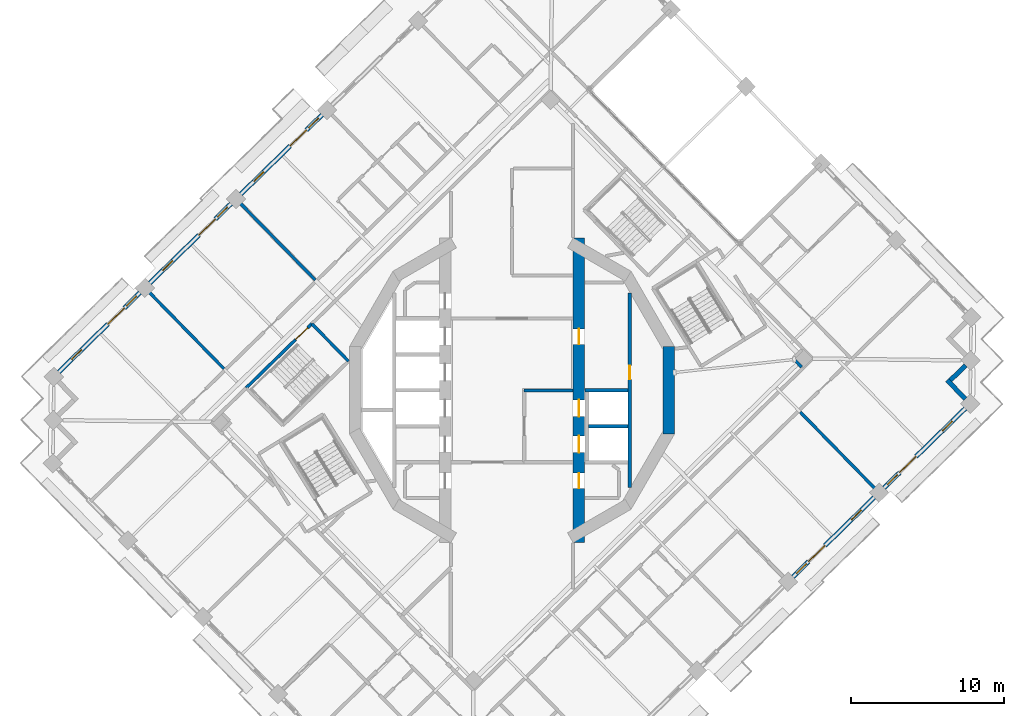
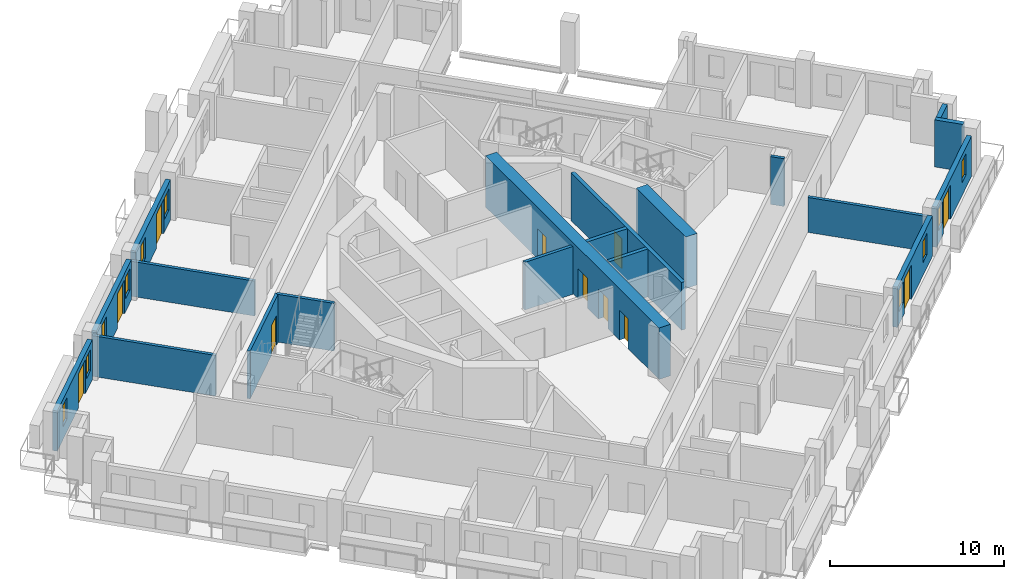
# One storey, part 10 of 20: 19 walls, 11 doors, 10 windows, 21 openings.
"""IFC4 building model written with IfcOpenShell, lengths in metres."""

from ifc_helpers import new_model, si_unit, direction, frame, frame_2d, origin, place, context, subcontext, project, spatial, rectangle, extrude, material, layer, layer_set, type_object, element, fill, save


model = new_model("IFC4")

# Units and contexts
model_context = context("Model", 3, precision=1e-05, world=origin(), true_north=direction((0.0, 1.0)))
body_context = subcontext(model_context, "Body", "Model", "MODEL_VIEW")
ifc_project = project(units=[si_unit("LENGTHUNIT", "METRE"), si_unit("AREAUNIT", "SQUARE_METRE"), si_unit("VOLUMEUNIT", "CUBIC_METRE"), si_unit("PLANEANGLEUNIT", "RADIAN"), si_unit("MASSUNIT", "GRAM", prefix="KILO")], contexts=[model_context])

# Site, building, storey
site_placement = place(None, origin())
site = spatial("IfcSite", under=ifc_project, at=site_placement, CompositionType="ELEMENT")
building_placement = place(site_placement, origin())
building = spatial("IfcBuilding", under=site, at=building_placement, Name="Cantera Rosa Tower", CompositionType="ELEMENT")
storey_placement = place(building_placement, frame((0.0, 0.0, 209.0)))
storey = spatial("IfcBuildingStorey", under=building, at=storey_placement, Name="L44", CompositionType="ELEMENT", Elevation=209.0)

# Walls
ifc_material_1 = material(Name="Hollow clay masonry with cantera stone cladding", Category="masonry")
ifc_layer_1 = layer(ifc_material_1, 0.300048828125)
ifc_layer_set_1 = layer_set([ifc_layer_1], Name="EW-LOGGIA 300")
wall_type_1 = type_object("IfcWallType", Name="EW-LOGGIA 300", PredefinedType="SOLIDWALL", material=ifc_layer_set_1)
wall_1_placement = place(storey_placement, frame((29.623291015625, -0.556884765625, 0.0), z_axis=(0.0, 0.0, 1.0), x_axis=(-0.69880105094, 0.715316077832, 0.0)))
element("IfcWall", 1, at=wall_1_placement, inside=storey, type_object=wall_type_1, Name="EN-L44-W26a", PredefinedType="SOLIDWALL", context=body_context, shape_type="SweptSolid", body=[
    extrude(rectangle(XDim=1.699951171875, YDim=0.300048828125, at=frame_2d((0.85009765625, 0.0))), origin(), (0.0, 0.0, 1.0), 3.300048828125),
])
wall_2_placement = place(storey_placement, frame((28.6474609375, 0.65673828125, 0.0), z_axis=(0.0, 0.0, 1.0), x_axis=(0.715341715727, 0.698774806172, 0.0)))
element("IfcWall", 2, at=wall_2_placement, inside=storey, type_object=wall_type_1, Name="EN-L44-W26b", PredefinedType="SOLIDWALL", context=body_context, shape_type="SweptSolid", body=[
    extrude(rectangle(XDim=1.39990234375, YDim=0.300048828125, at=frame_2d((0.699951171875, 0.0))), origin(), (0.0, 0.0, 1.0), 3.300048828125),
])

# Wall, openings, windows, door
ifc_material_2 = material(Name="Hollow clay masonry with cantera stone cladding", Category="masonry")
ifc_layer_2 = layer(ifc_material_2, 0.300048828125)
ifc_layer_set_2 = layer_set([ifc_layer_2], Name="EW-LOGGIA 300 H2820")
wall_type_2 = type_object("IfcWallType", Name="EW-LOGGIA 300 H2820", PredefinedType="SOLIDWALL", material=ifc_layer_set_2)
wall_3_placement = place(storey_placement, frame((-12.406005859375, 18.007080078125, 0.0), z_axis=(0.0, 0.0, 1.0), x_axis=(-0.715300826176, -0.698816662703, 0.0)))
wall_3 = element("IfcWall", 3, at=wall_3_placement, inside=storey, type_object=wall_type_2, Name="EN-L44-W09", PredefinedType="SOLIDWALL", context=body_context, shape_type="SweptSolid", body=[
    extrude(rectangle(XDim=7.420166015625, YDim=0.300048828125, at=frame_2d((3.7099609375, 0.0))), origin(), (0.0, 0.0, 1.0), 2.820068359375),
])
opening_1_placement = place(wall_3_placement, frame((0.330078125, 0.0, 0.89990234375)))
opening_1 = element("IfcOpeningElement", 4, at=opening_1_placement, cuts=wall_3, Name="Opening L44-W13", PredefinedType="OPENING", context=body_context, shape_type="SweptSolid", body=[
    extrude(rectangle(XDim=0.89990234375, YDim=1.5, at=frame_2d((0.449951171875, 0.75))), frame((0.0, 0.159912109375, 0.0), z_axis=(0.0, -1.0, 0.0), x_axis=(1.0, 0.0, 0.0)), (0.0, 0.0, 1.0), 0.320068359375),
])
opening_2_placement = place(wall_3_placement, frame((1.429931640625, 0.0, 0.0)))
opening_2 = element("IfcOpeningElement", 5, at=opening_2_placement, cuts=wall_3, Name="Opening L44-TD14", PredefinedType="OPENING", context=body_context, shape_type="SweptSolid", body=[
    extrude(rectangle(XDim=1.5, YDim=2.39990234375, at=frame_2d((0.75, 1.199951171875))), frame((0.0, 0.159912109375, 0.0), z_axis=(0.0, -1.0, 0.0), x_axis=(1.0, 0.0, 0.0)), (0.0, 0.0, 1.0), 0.320068359375),
])
opening_3_placement = place(wall_3_placement, frame((5.340087890625, 0.0, 0.89990234375)))
opening_3 = element("IfcOpeningElement", 6, at=opening_3_placement, cuts=wall_3, Name="Opening L44-W15", PredefinedType="OPENING", context=body_context, shape_type="SweptSolid", body=[
    extrude(rectangle(XDim=0.89990234375, YDim=1.5, at=frame_2d((0.449951171875, 0.75))), frame((0.0, 0.159912109375, 0.0), z_axis=(0.0, -1.0, 0.0), x_axis=(1.0, 0.0, 0.0)), (0.0, 0.0, 1.0), 0.320068359375),
])
ifc_material_3 = material(Name="Aluminium frame with clear glass", Category="aluminium")
window_type = type_object("IfcWindowType", Name="Residential window 900x1500", PartitioningType="SINGLE_PANEL", PredefinedType="WINDOW", material=ifc_material_3)
window_1_placement = place(opening_1_placement, origin())
window_1 = element("IfcWindow", 7, at=window_1_placement, inside=storey, type_object=window_type, Name="WINDOW L44-W13", OverallHeight=1.5, OverallWidth=0.89990234375, PartitioningType="SINGLE_PANEL", PredefinedType="WINDOW", context=body_context, shape_type="SweptSolid", body=[
    extrude(rectangle(XDim=0.89990234375, YDim=1.5, at=frame_2d((0.449951171875, 0.75))), frame((0.0, 0.030029296875, 0.0), z_axis=(0.0, -1.0, 0.0), x_axis=(1.0, 0.0, 0.0)), (0.0, 0.0, 1.0), 0.06005859375),
])
fill(opening_1, window_1)
window_2_placement = place(opening_3_placement, origin())
window_2 = element("IfcWindow", 8, at=window_2_placement, inside=storey, type_object=window_type, Name="WINDOW L44-W15", OverallHeight=1.5, OverallWidth=0.89990234375, PartitioningType="SINGLE_PANEL", PredefinedType="WINDOW", context=body_context, shape_type="SweptSolid", body=[
    extrude(rectangle(XDim=0.89990234375, YDim=1.5, at=frame_2d((0.449951171875, 0.75))), frame((0.0, 0.030029296875, 0.0), z_axis=(0.0, -1.0, 0.0), x_axis=(1.0, 0.0, 0.0)), (0.0, 0.0, 1.0), 0.06005859375),
])
fill(opening_3, window_2)
ifc_material_4 = material(Name="Aluminium frame with clear glass", Category="aluminium")
door_type_1 = type_object("IfcDoorType", Name="TD-R 1500x2400", OperationType="NOTDEFINED", PredefinedType="DOOR", material=ifc_material_4)
door_1_placement = place(opening_2_placement, origin())
door_1 = element("IfcDoor", 9, at=door_1_placement, inside=storey, type_object=door_type_1, Name="LOGGIA DOOR L44-TD14", OperationType="SLIDING_TO_LEFT", OverallHeight=2.39990234375, OverallWidth=1.5, PredefinedType="DOOR", context=body_context, shape_type="SweptSolid", body=[
    extrude(rectangle(XDim=1.5, YDim=2.39990234375, at=frame_2d((0.75, 1.199951171875))), frame((0.0, 0.02490234375, 0.0), z_axis=(0.0, -1.0, 0.0), x_axis=(1.0, 0.0, 0.0)), (0.0, 0.0, 1.0), 0.050048828125),
])
fill(opening_2, door_1)

wall_4_placement = place(storey_placement, frame((-18.357177734375, 12.19287109375, 0.0), z_axis=(0.0, 0.0, 1.0), x_axis=(-0.715300826176, -0.698816662703, 0.0)))
wall_4 = element("IfcWall", 10, at=wall_4_placement, inside=storey, type_object=wall_type_2, Name="EN-L44-W10", PredefinedType="SOLIDWALL", context=body_context, shape_type="SweptSolid", body=[
    extrude(rectangle(XDim=7.420166015625, YDim=0.300048828125, at=frame_2d((3.7099609375, 0.0))), origin(), (0.0, 0.0, 1.0), 2.820068359375),
])
opening_4_placement = place(wall_4_placement, frame((0.330078125, 0.0, 0.89990234375)))
opening_4 = element("IfcOpeningElement", 11, at=opening_4_placement, cuts=wall_4, Name="Opening L44-W16", PredefinedType="OPENING", context=body_context, shape_type="SweptSolid", body=[
    extrude(rectangle(XDim=0.89990234375, YDim=1.5, at=frame_2d((0.449951171875, 0.75))), frame((0.0, 0.159912109375, 0.0), z_axis=(0.0, -1.0, 0.0), x_axis=(1.0, 0.0, 0.0)), (0.0, 0.0, 1.0), 0.320068359375),
])
opening_5_placement = place(wall_4_placement, frame((1.429931640625, 0.0, 0.0)))
opening_5 = element("IfcOpeningElement", 12, at=opening_5_placement, cuts=wall_4, Name="Opening L44-TD17", PredefinedType="OPENING", context=body_context, shape_type="SweptSolid", body=[
    extrude(rectangle(XDim=1.5, YDim=2.39990234375, at=frame_2d((0.75, 1.199951171875))), frame((0.0, 0.159912109375, 0.0), z_axis=(0.0, -1.0, 0.0), x_axis=(1.0, 0.0, 0.0)), (0.0, 0.0, 1.0), 0.320068359375),
])
opening_6_placement = place(wall_4_placement, frame((5.340087890625, 0.0, 0.89990234375)))
opening_6 = element("IfcOpeningElement", 13, at=opening_6_placement, cuts=wall_4, Name="Opening L44-W18", PredefinedType="OPENING", context=body_context, shape_type="SweptSolid", body=[
    extrude(rectangle(XDim=0.89990234375, YDim=1.5, at=frame_2d((0.449951171875, 0.75))), frame((0.0, 0.159912109375, 0.0), z_axis=(0.0, -1.0, 0.0), x_axis=(1.0, 0.0, 0.0)), (0.0, 0.0, 1.0), 0.320068359375),
])
window_3_placement = place(opening_4_placement, origin())
window_3 = element("IfcWindow", 14, at=window_3_placement, inside=storey, type_object=window_type, Name="WINDOW L44-W16", OverallHeight=1.5, OverallWidth=0.89990234375, PartitioningType="SINGLE_PANEL", PredefinedType="WINDOW", context=body_context, shape_type="SweptSolid", body=[
    extrude(rectangle(XDim=0.89990234375, YDim=1.5, at=frame_2d((0.449951171875, 0.75))), frame((0.0, 0.030029296875, 0.0), z_axis=(0.0, -1.0, 0.0), x_axis=(1.0, 0.0, 0.0)), (0.0, 0.0, 1.0), 0.06005859375),
])
fill(opening_4, window_3)
window_4_placement = place(opening_6_placement, origin())
window_4 = element("IfcWindow", 15, at=window_4_placement, inside=storey, type_object=window_type, Name="WINDOW L44-W18", OverallHeight=1.5, OverallWidth=0.89990234375, PartitioningType="SINGLE_PANEL", PredefinedType="WINDOW", context=body_context, shape_type="SweptSolid", body=[
    extrude(rectangle(XDim=0.89990234375, YDim=1.5, at=frame_2d((0.449951171875, 0.75))), frame((0.0, 0.030029296875, 0.0), z_axis=(0.0, -1.0, 0.0), x_axis=(1.0, 0.0, 0.0)), (0.0, 0.0, 1.0), 0.06005859375),
])
fill(opening_6, window_4)
door_2_placement = place(opening_5_placement, origin())
door_2 = element("IfcDoor", 16, at=door_2_placement, inside=storey, type_object=door_type_1, Name="LOGGIA DOOR L44-TD17", OperationType="SLIDING_TO_LEFT", OverallHeight=2.39990234375, OverallWidth=1.5, PredefinedType="DOOR", context=body_context, shape_type="SweptSolid", body=[
    extrude(rectangle(XDim=1.5, YDim=2.39990234375, at=frame_2d((0.75, 1.199951171875))), frame((0.0, 0.02490234375, 0.0), z_axis=(0.0, -1.0, 0.0), x_axis=(1.0, 0.0, 0.0)), (0.0, 0.0, 1.0), 0.050048828125),
])
fill(opening_5, door_2)

wall_5_placement = place(storey_placement, frame((-24.308349609375, 6.37841796875, 0.0), z_axis=(0.0, 0.0, 1.0), x_axis=(-0.715300826176, -0.698816662703, 0.0)))
wall_5 = element("IfcWall", 17, at=wall_5_placement, inside=storey, type_object=wall_type_2, Name="EN-L44-W11", PredefinedType="SOLIDWALL", context=body_context, shape_type="SweptSolid", body=[
    extrude(rectangle(XDim=7.420166015625, YDim=0.300048828125, at=frame_2d((3.7099609375, 0.0))), origin(), (0.0, 0.0, 1.0), 2.820068359375),
])
opening_7_placement = place(wall_5_placement, frame((0.330078125, 0.0, 0.89990234375)))
opening_7 = element("IfcOpeningElement", 18, at=opening_7_placement, cuts=wall_5, Name="Opening L44-W19", PredefinedType="OPENING", context=body_context, shape_type="SweptSolid", body=[
    extrude(rectangle(XDim=0.89990234375, YDim=1.5, at=frame_2d((0.449951171875, 0.75))), frame((0.0, 0.159912109375, 0.0), z_axis=(0.0, -1.0, 0.0), x_axis=(1.0, 0.0, 0.0)), (0.0, 0.0, 1.0), 0.320068359375),
])
opening_8_placement = place(wall_5_placement, frame((1.429931640625, 0.0, 0.0)))
opening_8 = element("IfcOpeningElement", 19, at=opening_8_placement, cuts=wall_5, Name="Opening L44-TD20", PredefinedType="OPENING", context=body_context, shape_type="SweptSolid", body=[
    extrude(rectangle(XDim=1.5, YDim=2.39990234375, at=frame_2d((0.75, 1.199951171875))), frame((0.0, 0.159912109375, 0.0), z_axis=(0.0, -1.0, 0.0), x_axis=(1.0, 0.0, 0.0)), (0.0, 0.0, 1.0), 0.320068359375),
])
opening_9_placement = place(wall_5_placement, frame((5.340087890625, 0.0, 0.89990234375)))
opening_9 = element("IfcOpeningElement", 20, at=opening_9_placement, cuts=wall_5, Name="Opening L44-W21", PredefinedType="OPENING", context=body_context, shape_type="SweptSolid", body=[
    extrude(rectangle(XDim=0.89990234375, YDim=1.5, at=frame_2d((0.449951171875, 0.75))), frame((0.0, 0.159912109375, 0.0), z_axis=(0.0, -1.0, 0.0), x_axis=(1.0, 0.0, 0.0)), (0.0, 0.0, 1.0), 0.320068359375),
])
window_5_placement = place(opening_7_placement, origin())
window_5 = element("IfcWindow", 21, at=window_5_placement, inside=storey, type_object=window_type, Name="WINDOW L44-W19", OverallHeight=1.5, OverallWidth=0.89990234375, PartitioningType="SINGLE_PANEL", PredefinedType="WINDOW", context=body_context, shape_type="SweptSolid", body=[
    extrude(rectangle(XDim=0.89990234375, YDim=1.5, at=frame_2d((0.449951171875, 0.75))), frame((0.0, 0.030029296875, 0.0), z_axis=(0.0, -1.0, 0.0), x_axis=(1.0, 0.0, 0.0)), (0.0, 0.0, 1.0), 0.06005859375),
])
fill(opening_7, window_5)
window_6_placement = place(opening_9_placement, origin())
window_6 = element("IfcWindow", 22, at=window_6_placement, inside=storey, type_object=window_type, Name="WINDOW L44-W21", OverallHeight=1.5, OverallWidth=0.89990234375, PartitioningType="SINGLE_PANEL", PredefinedType="WINDOW", context=body_context, shape_type="SweptSolid", body=[
    extrude(rectangle(XDim=0.89990234375, YDim=1.5, at=frame_2d((0.449951171875, 0.75))), frame((0.0, 0.030029296875, 0.0), z_axis=(0.0, -1.0, 0.0), x_axis=(1.0, 0.0, 0.0)), (0.0, 0.0, 1.0), 0.06005859375),
])
fill(opening_9, window_6)
door_3_placement = place(opening_8_placement, origin())
door_3 = element("IfcDoor", 23, at=door_3_placement, inside=storey, type_object=door_type_1, Name="LOGGIA DOOR L44-TD20", OperationType="SLIDING_TO_LEFT", OverallHeight=2.39990234375, OverallWidth=1.5, PredefinedType="DOOR", context=body_context, shape_type="SweptSolid", body=[
    extrude(rectangle(XDim=1.5, YDim=2.39990234375, at=frame_2d((0.75, 1.199951171875))), frame((0.0, 0.02490234375, 0.0), z_axis=(0.0, -1.0, 0.0), x_axis=(1.0, 0.0, 0.0)), (0.0, 0.0, 1.0), 0.050048828125),
])
fill(opening_8, door_3)

wall_6_placement = place(storey_placement, frame((18.357177734375, -12.19287109375, 0.0), z_axis=(0.0, 0.0, 1.0), x_axis=(0.715300826176, 0.698816662703, 0.0)))
wall_6 = element("IfcWall", 24, at=wall_6_placement, inside=storey, type_object=wall_type_2, Name="EN-L44-W24", PredefinedType="SOLIDWALL", context=body_context, shape_type="SweptSolid", body=[
    extrude(rectangle(XDim=7.420166015625, YDim=0.300048828125, at=frame_2d((3.7099609375, 0.0))), origin(), (0.0, 0.0, 1.0), 2.820068359375),
])
opening_10_placement = place(wall_6_placement, frame((0.330078125, 0.0, 0.89990234375)))
opening_10 = element("IfcOpeningElement", 25, at=opening_10_placement, cuts=wall_6, Name="Opening L44-W46", PredefinedType="OPENING", context=body_context, shape_type="SweptSolid", body=[
    extrude(rectangle(XDim=0.89990234375, YDim=1.5, at=frame_2d((0.449951171875, 0.75))), frame((0.0, 0.159912109375, 0.0), z_axis=(0.0, -1.0, 0.0), x_axis=(1.0, 0.0, 0.0)), (0.0, 0.0, 1.0), 0.320068359375),
])
opening_11_placement = place(wall_6_placement, frame((1.429931640625, 0.0, 0.0)))
opening_11 = element("IfcOpeningElement", 26, at=opening_11_placement, cuts=wall_6, Name="Opening L44-TD47", PredefinedType="OPENING", context=body_context, shape_type="SweptSolid", body=[
    extrude(rectangle(XDim=1.5, YDim=2.39990234375, at=frame_2d((0.75, 1.199951171875))), frame((0.0, 0.159912109375, 0.0), z_axis=(0.0, -1.0, 0.0), x_axis=(1.0, 0.0, 0.0)), (0.0, 0.0, 1.0), 0.320068359375),
])
opening_12_placement = place(wall_6_placement, frame((5.340087890625, 0.0, 0.89990234375)))
opening_12 = element("IfcOpeningElement", 27, at=opening_12_placement, cuts=wall_6, Name="Opening L44-W48", PredefinedType="OPENING", context=body_context, shape_type="SweptSolid", body=[
    extrude(rectangle(XDim=0.89990234375, YDim=1.5, at=frame_2d((0.449951171875, 0.75))), frame((0.0, 0.159912109375, 0.0), z_axis=(0.0, -1.0, 0.0), x_axis=(1.0, 0.0, 0.0)), (0.0, 0.0, 1.0), 0.320068359375),
])
window_7_placement = place(opening_10_placement, origin())
window_7 = element("IfcWindow", 28, at=window_7_placement, inside=storey, type_object=window_type, Name="WINDOW L44-W46", OverallHeight=1.5, OverallWidth=0.89990234375, PartitioningType="SINGLE_PANEL", PredefinedType="WINDOW", context=body_context, shape_type="SweptSolid", body=[
    extrude(rectangle(XDim=0.89990234375, YDim=1.5, at=frame_2d((0.449951171875, 0.75))), frame((0.0, 0.030029296875, 0.0), z_axis=(0.0, -1.0, 0.0), x_axis=(1.0, 0.0, 0.0)), (0.0, 0.0, 1.0), 0.06005859375),
])
fill(opening_10, window_7)
window_8_placement = place(opening_12_placement, origin())
window_8 = element("IfcWindow", 29, at=window_8_placement, inside=storey, type_object=window_type, Name="WINDOW L44-W48", OverallHeight=1.5, OverallWidth=0.89990234375, PartitioningType="SINGLE_PANEL", PredefinedType="WINDOW", context=body_context, shape_type="SweptSolid", body=[
    extrude(rectangle(XDim=0.89990234375, YDim=1.5, at=frame_2d((0.449951171875, 0.75))), frame((0.0, 0.030029296875, 0.0), z_axis=(0.0, -1.0, 0.0), x_axis=(1.0, 0.0, 0.0)), (0.0, 0.0, 1.0), 0.06005859375),
])
fill(opening_12, window_8)
door_4_placement = place(opening_11_placement, origin())
door_4 = element("IfcDoor", 30, at=door_4_placement, inside=storey, type_object=door_type_1, Name="LOGGIA DOOR L44-TD47", OperationType="SLIDING_TO_LEFT", OverallHeight=2.39990234375, OverallWidth=1.5, PredefinedType="DOOR", context=body_context, shape_type="SweptSolid", body=[
    extrude(rectangle(XDim=1.5, YDim=2.39990234375, at=frame_2d((0.75, 1.199951171875))), frame((0.0, 0.02490234375, 0.0), z_axis=(0.0, -1.0, 0.0), x_axis=(1.0, 0.0, 0.0)), (0.0, 0.0, 1.0), 0.050048828125),
])
fill(opening_11, door_4)

wall_7_placement = place(storey_placement, frame((24.308349609375, -6.37841796875, 0.0), z_axis=(0.0, 0.0, 1.0), x_axis=(0.715300826176, 0.698816662703, 0.0)))
wall_7 = element("IfcWall", 31, at=wall_7_placement, inside=storey, type_object=wall_type_2, Name="EN-L44-W25", PredefinedType="SOLIDWALL", context=body_context, shape_type="SweptSolid", body=[
    extrude(rectangle(XDim=7.420166015625, YDim=0.300048828125, at=frame_2d((3.7099609375, 0.0))), origin(), (0.0, 0.0, 1.0), 2.820068359375),
])
opening_13_placement = place(wall_7_placement, frame((0.330078125, 0.0, 0.89990234375)))
opening_13 = element("IfcOpeningElement", 32, at=opening_13_placement, cuts=wall_7, Name="Opening L44-W49", PredefinedType="OPENING", context=body_context, shape_type="SweptSolid", body=[
    extrude(rectangle(XDim=0.89990234375, YDim=1.5, at=frame_2d((0.449951171875, 0.75))), frame((0.0, 0.159912109375, 0.0), z_axis=(0.0, -1.0, 0.0), x_axis=(1.0, 0.0, 0.0)), (0.0, 0.0, 1.0), 0.320068359375),
])
opening_14_placement = place(wall_7_placement, frame((1.429931640625, 0.0, 0.0)))
opening_14 = element("IfcOpeningElement", 33, at=opening_14_placement, cuts=wall_7, Name="Opening L44-TD50", PredefinedType="OPENING", context=body_context, shape_type="SweptSolid", body=[
    extrude(rectangle(XDim=1.5, YDim=2.39990234375, at=frame_2d((0.75, 1.199951171875))), frame((0.0, 0.159912109375, 0.0), z_axis=(0.0, -1.0, 0.0), x_axis=(1.0, 0.0, 0.0)), (0.0, 0.0, 1.0), 0.320068359375),
])
opening_15_placement = place(wall_7_placement, frame((5.340087890625, 0.0, 0.89990234375)))
opening_15 = element("IfcOpeningElement", 34, at=opening_15_placement, cuts=wall_7, Name="Opening L44-W51", PredefinedType="OPENING", context=body_context, shape_type="SweptSolid", body=[
    extrude(rectangle(XDim=0.89990234375, YDim=1.5, at=frame_2d((0.449951171875, 0.75))), frame((0.0, 0.159912109375, 0.0), z_axis=(0.0, -1.0, 0.0), x_axis=(1.0, 0.0, 0.0)), (0.0, 0.0, 1.0), 0.320068359375),
])
window_9_placement = place(opening_13_placement, origin())
window_9 = element("IfcWindow", 35, at=window_9_placement, inside=storey, type_object=window_type, Name="WINDOW L44-W49", OverallHeight=1.5, OverallWidth=0.89990234375, PartitioningType="SINGLE_PANEL", PredefinedType="WINDOW", context=body_context, shape_type="SweptSolid", body=[
    extrude(rectangle(XDim=0.89990234375, YDim=1.5, at=frame_2d((0.449951171875, 0.75))), frame((0.0, 0.030029296875, 0.0), z_axis=(0.0, -1.0, 0.0), x_axis=(1.0, 0.0, 0.0)), (0.0, 0.0, 1.0), 0.06005859375),
])
fill(opening_13, window_9)
window_10_placement = place(opening_15_placement, origin())
window_10 = element("IfcWindow", 36, at=window_10_placement, inside=storey, type_object=window_type, Name="WINDOW L44-W51", OverallHeight=1.5, OverallWidth=0.89990234375, PartitioningType="SINGLE_PANEL", PredefinedType="WINDOW", context=body_context, shape_type="SweptSolid", body=[
    extrude(rectangle(XDim=0.89990234375, YDim=1.5, at=frame_2d((0.449951171875, 0.75))), frame((0.0, 0.030029296875, 0.0), z_axis=(0.0, -1.0, 0.0), x_axis=(1.0, 0.0, 0.0)), (0.0, 0.0, 1.0), 0.06005859375),
])
fill(opening_15, window_10)
door_5_placement = place(opening_14_placement, origin())
door_5 = element("IfcDoor", 37, at=door_5_placement, inside=storey, type_object=door_type_1, Name="LOGGIA DOOR L44-TD50", OperationType="SLIDING_TO_LEFT", OverallHeight=2.39990234375, OverallWidth=1.5, PredefinedType="DOOR", context=body_context, shape_type="SweptSolid", body=[
    extrude(rectangle(XDim=1.5, YDim=2.39990234375, at=frame_2d((0.75, 1.199951171875))), frame((0.0, 0.02490234375, 0.0), z_axis=(0.0, -1.0, 0.0), x_axis=(1.0, 0.0, 0.0)), (0.0, 0.0, 1.0), 0.050048828125),
])
fill(opening_14, door_5)

# Walls
ifc_material_5 = material(Name="Gypsum board partition")
ifc_layer_3 = layer(ifc_material_5, 0.199951171875)
ifc_layer_set_3 = layer_set([ifc_layer_3], Name="PARTITION 200 H2850")
wall_type_3 = type_object("IfcWallType", Name="PARTITION 200 H2850", PredefinedType="PARTITIONING", material=ifc_layer_set_3)
wall_8_placement = place(storey_placement, frame((-18.815185546875, 1.39990234375, 0.0), z_axis=(0.0, 0.0, 1.0), x_axis=(-0.698843600557, 0.715274508116, 0.0)))
element("IfcWall", 38, at=wall_8_placement, inside=storey, type_object=wall_type_3, Name="PARTITION L44-005", PredefinedType="PARTITIONING", context=body_context, shape_type="SweptSolid", body=[
    extrude(rectangle(XDim=7.369873046875, YDim=0.199951171875, at=frame_2d((3.68505859375, 0.0))), origin(), (0.0, 0.0, 1.0), 2.85009765625),
])
ifc_material_6 = material(Name="Gypsum board partition")
ifc_layer_4 = layer(ifc_material_6, 0.199951171875)
ifc_layer_set_4 = layer_set([ifc_layer_4], Name="PARTITION 200 H3350")
wall_type_4 = type_object("IfcWallType", Name="PARTITION 200 H3350", PredefinedType="PARTITIONING", material=ifc_layer_set_4)
wall_9_placement = place(storey_placement, frame((18.375, 2.08447265625, 0.0), z_axis=(0.0, 0.0, 1.0), x_axis=(0.698819420598, -0.715298131827, 0.0)))
element("IfcWall", 39, at=wall_9_placement, inside=storey, type_object=wall_type_4, Name="PARTITION L44-120", PredefinedType="PARTITIONING", context=body_context, shape_type="SweptSolid", body=[
    extrude(rectangle(XDim=0.800048828125, YDim=0.199951171875, at=frame_2d((0.39990234375, 0.0))), origin(), (0.0, 0.0, 1.0), 3.35009765625),
])
ifc_material_7 = material(Name="Gypsum board partition")
ifc_layer_5 = layer(ifc_material_7, 0.199951171875)
ifc_layer_set_5 = layer_set([ifc_layer_5], Name="PARTY WALL 200 H2450")
wall_type_5 = type_object("IfcWallType", Name="PARTY WALL 200 H2450", PredefinedType="PARTITIONING", material=ifc_layer_set_5)
wall_10_placement = place(storey_placement, frame((-12.864013671875, 7.214111328125, 0.0), z_axis=(0.0, 0.0, 1.0), x_axis=(-0.698827041819, 0.715290686101, 0.0)))
element("IfcWall", 40, at=wall_10_placement, inside=storey, type_object=wall_type_5, Name="PARTY WALL L44-021", PredefinedType="PARTITIONING", context=body_context, shape_type="SweptSolid", body=[
    extrude(rectangle(XDim=7.3701171875, YDim=0.199951171875, at=frame_2d((3.68505859375, 0.0))), origin(), (0.0, 0.0, 1.0), 2.449951171875),
])
wall_11_placement = place(storey_placement, frame((18.8291015625, -1.414306640625, 0.0), z_axis=(0.0, 0.0, 1.0), x_axis=(0.698854556514, -0.71526380367, 0.0)))
element("IfcWall", 41, at=wall_11_placement, inside=storey, type_object=wall_type_5, Name="PARTY WALL L44-121", PredefinedType="PARTITIONING", context=body_context, shape_type="SweptSolid", body=[
    extrude(rectangle(XDim=7.349853515625, YDim=0.199951171875, at=frame_2d((3.6748046875, 0.0))), origin(), (0.0, 0.0, 1.0), 2.449951171875),
])
ifc_material_8 = material(Name="Concrete C60/75", Category="concrete")
ifc_layer_6 = layer(ifc_material_8, 0.75)
ifc_layer_set_6 = layer_set([ifc_layer_6], Name="RC CORE WALL 750 C60/75")
wall_type_6 = type_object("IfcWallType", Name="RC CORE WALL 750 C60/75", PredefinedType="SHEAR", material=ifc_layer_set_6)
wall_12_placement = place(storey_placement, frame((10.250244140625, 2.846923828125, 0.0), z_axis=(0.0, 0.0, 1.0), x_axis=(0.0, -1.0, 0.0)))
element("IfcWall", 42, at=wall_12_placement, inside=storey, type_object=wall_type_6, Name="CW-E3 L44", PredefinedType="SHEAR", context=body_context, shape_type="SweptSolid", body=[
    extrude(rectangle(XDim=5.69384765625, YDim=0.75, at=frame_2d((2.846923828125, 0.0))), origin(), (0.0, 0.0, 1.0), 3.60009765625),
])

# Wall, openings, doors
wall_13_placement = place(storey_placement, frame((4.375, -9.95947265625, 0.0), z_axis=(0.0, 0.0, 1.0), x_axis=(0.0, 1.0, 0.0)))
wall_13 = element("IfcWall", 43, at=wall_13_placement, inside=storey, type_object=wall_type_6, Name="CW-E6 L44", PredefinedType="SHEAR", context=body_context, shape_type="SweptSolid", body=[
    extrude(rectangle(XDim=19.9189453125, YDim=0.75, at=frame_2d((9.95947265625, 0.0))), origin(), (0.0, 0.0, 1.0), 3.60009765625),
])
opening_16_placement = place(wall_13_placement, frame((5.884521484375, 0.0, 0.0)))
opening_16 = element("IfcOpeningElement", 44, at=opening_16_placement, cuts=wall_13, Name="Opening LD-FF1-L44", PredefinedType="OPENING", context=body_context, shape_type="SweptSolid", body=[
    extrude(rectangle(XDim=1.10009765625, YDim=2.10009765625, at=frame_2d((0.550048828125, 1.050048828125))), frame((0.0, 0.385009765625, 0.0), z_axis=(0.0, -1.0, 0.0), x_axis=(1.0, 0.0, 0.0)), (0.0, 0.0, 1.0), 0.77001953125),
])
opening_17_placement = place(wall_13_placement, frame((8.234619140625, 0.0, 0.0)))
opening_17 = element("IfcOpeningElement", 45, at=opening_17_placement, cuts=wall_13, Name="Opening LD-FF2-L44", PredefinedType="OPENING", context=body_context, shape_type="SweptSolid", body=[
    extrude(rectangle(XDim=1.10009765625, YDim=2.10009765625, at=frame_2d((0.550048828125, 1.050048828125))), frame((0.0, 0.385009765625, 0.0), z_axis=(0.0, -1.0, 0.0), x_axis=(1.0, 0.0, 0.0)), (0.0, 0.0, 1.0), 0.77001953125),
])
opening_18_placement = place(wall_13_placement, frame((3.55078125, 0.0, 0.0)))
opening_18 = element("IfcOpeningElement", 46, at=opening_18_placement, cuts=wall_13, Name="Opening SD-L44-21", PredefinedType="OPENING", context=body_context, shape_type="SweptSolid", body=[
    extrude(rectangle(XDim=1.0, YDim=2.10009765625, at=frame_2d((0.5, 1.050048828125))), frame((0.0, 0.385009765625, 0.0), z_axis=(0.0, -1.0, 0.0), x_axis=(1.0, 0.0, 0.0)), (0.0, 0.0, 1.0), 0.77001953125),
])
opening_19_placement = place(wall_13_placement, frame((12.9658203125, 0.0, 0.0)))
opening_19 = element("IfcOpeningElement", 47, at=opening_19_placement, cuts=wall_13, Name="Opening SD-L44-22", PredefinedType="OPENING", context=body_context, shape_type="SweptSolid", body=[
    extrude(rectangle(XDim=1.0, YDim=2.10009765625, at=frame_2d((0.5, 1.050048828125))), frame((0.0, 0.385009765625, 0.0), z_axis=(0.0, -1.0, 0.0), x_axis=(1.0, 0.0, 0.0)), (0.0, 0.0, 1.0), 0.77001953125),
])
ifc_material_9 = material(Name="Steel S355J2 (EN 10025-2)", Category="steel")
door_type_2 = type_object("IfcDoorType", Name="LANDING DOOR 1100x2100", OperationType="NOTDEFINED", PredefinedType="DOOR", material=ifc_material_9)
door_6_placement = place(opening_16_placement, origin())
door_6 = element("IfcDoor", 48, at=door_6_placement, inside=storey, type_object=door_type_2, Name="LANDING DOOR FF1 L44", OperationType="SLIDING_TO_LEFT", OverallHeight=2.10009765625, OverallWidth=1.10009765625, PredefinedType="DOOR", context=body_context, shape_type="SweptSolid", body=[
    extrude(rectangle(XDim=1.10009765625, YDim=2.10009765625, at=frame_2d((0.550048828125, 1.050048828125))), frame((0.0, 0.02490234375, 0.0), z_axis=(0.0, -1.0, 0.0), x_axis=(1.0, 0.0, 0.0)), (0.0, 0.0, 1.0), 0.050048828125),
])
fill(opening_16, door_6)
door_7_placement = place(opening_17_placement, origin())
door_7 = element("IfcDoor", 49, at=door_7_placement, inside=storey, type_object=door_type_2, Name="LANDING DOOR FF2 L44", OperationType="SLIDING_TO_LEFT", OverallHeight=2.10009765625, OverallWidth=1.10009765625, PredefinedType="DOOR", context=body_context, shape_type="SweptSolid", body=[
    extrude(rectangle(XDim=1.10009765625, YDim=2.10009765625, at=frame_2d((0.550048828125, 1.050048828125))), frame((0.0, 0.02490234375, 0.0), z_axis=(0.0, -1.0, 0.0), x_axis=(1.0, 0.0, 0.0)), (0.0, 0.0, 1.0), 0.050048828125),
])
fill(opening_17, door_7)
ifc_material_10 = material(Name="Timber door leaf", Category="wood")
door_type_3 = type_object("IfcDoorType", Name="SERVICE DOOR 1000x2100", OperationType="NOTDEFINED", PredefinedType="DOOR", material=ifc_material_10)
door_8_placement = place(opening_18_placement, origin())
door_8 = element("IfcDoor", 50, at=door_8_placement, inside=storey, type_object=door_type_3, Name="DOOR L44-SD21", OperationType="NOTDEFINED", OverallHeight=2.10009765625, OverallWidth=1.0, PredefinedType="DOOR", context=body_context, shape_type="SweptSolid", body=[
    extrude(rectangle(XDim=1.0, YDim=2.10009765625, at=frame_2d((0.5, 1.050048828125))), frame((0.0, 0.02490234375, 0.0), z_axis=(0.0, -1.0, 0.0), x_axis=(1.0, 0.0, 0.0)), (0.0, 0.0, 1.0), 0.050048828125),
])
fill(opening_18, door_8)
door_9_placement = place(opening_19_placement, origin())
door_9 = element("IfcDoor", 51, at=door_9_placement, inside=storey, type_object=door_type_3, Name="DOOR L44-SD22", OperationType="NOTDEFINED", OverallHeight=2.10009765625, OverallWidth=1.0, PredefinedType="DOOR", context=body_context, shape_type="SweptSolid", body=[
    extrude(rectangle(XDim=1.0, YDim=2.10009765625, at=frame_2d((0.5, 1.050048828125))), frame((0.0, 0.02490234375, 0.0), z_axis=(0.0, -1.0, 0.0), x_axis=(1.0, 0.0, 0.0)), (0.0, 0.0, 1.0), 0.050048828125),
])
fill(opening_19, door_9)

# Wall
ifc_material_11 = material(Name="Masonry blockwork", Category="masonry")
ifc_layer_7 = layer(ifc_material_11, 0.25)
ifc_layer_set_7 = layer_set([ifc_layer_7], Name="SHAFT WALL 250 H3350")
wall_type_7 = type_object("IfcWallType", Name="SHAFT WALL 250 H3350", PredefinedType="SOLIDWALL", material=ifc_layer_set_7)
wall_14_placement = place(storey_placement, frame((4.780029296875, 0.0, 0.0), z_axis=(0.0, 0.0, 1.0), x_axis=(1.0, 0.0, 0.0)))
element("IfcWall", 52, at=wall_14_placement, inside=storey, type_object=wall_type_7, Name="SHAFT WALL L44-083", PredefinedType="SOLIDWALL", context=body_context, shape_type="SweptSolid", body=[
    extrude(rectangle(XDim=2.794921875, YDim=0.25, at=frame_2d((1.3974609375, 0.0))), origin(), (0.0, 0.0, 1.0), 3.35009765625),
])

# Wall, opening, door
wall_15_placement = place(storey_placement, frame((7.699951171875, -6.353515625, 0.0), z_axis=(0.0, 0.0, 1.0), x_axis=(0.0, 1.0, 0.0)))
wall_15 = element("IfcWall", 53, at=wall_15_placement, inside=storey, type_object=wall_type_7, Name="SHAFT WALL L44-096", PredefinedType="SOLIDWALL", context=body_context, shape_type="SweptSolid", body=[
    extrude(rectangle(XDim=12.70703125, YDim=0.25, at=frame_2d((6.353515625, 0.0))), origin(), (0.0, 0.0, 1.0), 3.35009765625),
])
opening_20_placement = place(wall_15_placement, frame((7.063720703125, 0.0, 0.0)))
opening_20 = element("IfcOpeningElement", 54, at=opening_20_placement, cuts=wall_15, Name="Opening L44-058", PredefinedType="OPENING", context=body_context, shape_type="SweptSolid", body=[
    extrude(rectangle(XDim=0.89990234375, YDim=2.10009765625, at=frame_2d((0.449951171875, 1.050048828125))), frame((0.0, 0.135009765625, 0.0), z_axis=(0.0, -1.0, 0.0), x_axis=(1.0, 0.0, 0.0)), (0.0, 0.0, 1.0), 0.27001953125),
])
ifc_material_12 = material(Name="Timber door leaf", Category="wood")
door_type_4 = type_object("IfcDoorType", Name="SERVICE DOOR 900x2100", OperationType="NOTDEFINED", PredefinedType="DOOR", material=ifc_material_12)
door_10_placement = place(opening_20_placement, origin())
door_10 = element("IfcDoor", 55, at=door_10_placement, inside=storey, type_object=door_type_4, Name="RISER DOOR L44-058", OperationType="NOTDEFINED", OverallHeight=2.10009765625, OverallWidth=0.89990234375, PredefinedType="DOOR", context=body_context, shape_type="SweptSolid", body=[
    extrude(rectangle(XDim=0.89990234375, YDim=2.10009765625, at=frame_2d((0.449951171875, 1.050048828125))), frame((0.0, 0.02490234375, 0.0), z_axis=(0.0, -1.0, 0.0), x_axis=(1.0, 0.0, 0.0)), (0.0, 0.0, 1.0), 0.050048828125),
])
fill(opening_20, door_10)

# Wall
wall_16_placement = place(storey_placement, frame((7.574951171875, -2.35009765625, 0.0), z_axis=(0.0, 0.0, 1.0), x_axis=(-1.0, 0.0, 0.0)))
element("IfcWall", 56, at=wall_16_placement, inside=storey, type_object=wall_type_7, Name="SHAFT WALL L44-098", PredefinedType="SOLIDWALL", context=body_context, shape_type="SweptSolid", body=[
    extrude(rectangle(XDim=2.56005859375, YDim=0.25, at=frame_2d((1.280029296875, 0.0))), origin(), (0.0, 0.0, 1.0), 3.35009765625),
])

# Wall, opening, door
ifc_material_13 = material(Name="Concrete C50/60", Category="concrete")
ifc_layer_8 = layer(ifc_material_13, 0.199951171875)
ifc_layer_set_8 = layer_set([ifc_layer_8], Name="STAIR WALL 200 H3350")
wall_type_8 = type_object("IfcWallType", Name="STAIR WALL 200 H3350", PredefinedType="SOLIDWALL", material=ifc_layer_set_8)
wall_17_placement = place(storey_placement, frame((-13.077880859375, 4.34912109375, 0.0), z_axis=(0.0, 0.0, 1.0), x_axis=(-0.715278260946, -0.698839759471, 0.0)))
wall_17 = element("IfcWall", 57, at=wall_17_placement, inside=storey, type_object=wall_type_8, Name="STAIR WALL L44-017", PredefinedType="SOLIDWALL", context=body_context, shape_type="SweptSolid", body=[
    extrude(rectangle(XDim=6.0, YDim=0.199951171875, at=frame_2d((3.0, 0.0))), origin(), (0.0, 0.0, 1.0), 3.35009765625),
])
opening_21_placement = place(wall_17_placement, frame((0.375, 0.0, 0.0)))
opening_21 = element("IfcOpeningElement", 58, at=opening_21_placement, cuts=wall_17, Name="Opening L44-004", PredefinedType="OPENING", context=body_context, shape_type="SweptSolid", body=[
    extrude(rectangle(XDim=1.10009765625, YDim=2.10009765625, at=frame_2d((0.550048828125, 1.050048828125))), frame((0.0, 0.10986328125, 0.0), z_axis=(0.0, -1.0, 0.0), x_axis=(1.0, 0.0, 0.0)), (0.0, 0.0, 1.0), 0.219970703125),
])
ifc_material_14 = material(Name="Steel S355J2 (EN 10025-2)", Category="steel")
door_type_5 = type_object("IfcDoorType", Name="STAIR DOOR 1100x2100", OperationType="NOTDEFINED", PredefinedType="DOOR", material=ifc_material_14)
door_11_placement = place(opening_21_placement, origin())
door_11 = element("IfcDoor", 59, at=door_11_placement, inside=storey, type_object=door_type_5, Name="DOOR L44-004", OperationType="NOTDEFINED", OverallHeight=2.10009765625, OverallWidth=1.10009765625, PredefinedType="DOOR", context=body_context, shape_type="SweptSolid", body=[
    extrude(rectangle(XDim=1.10009765625, YDim=2.10009765625, at=frame_2d((0.550048828125, 1.050048828125))), frame((0.0, 0.02490234375, 0.0), z_axis=(0.0, -1.0, 0.0), x_axis=(1.0, 0.0, 0.0)), (0.0, 0.0, 1.0), 0.050048828125),
])
fill(opening_21, door_11)

# Walls
wall_18_placement = place(storey_placement, frame((-13.077880859375, 4.34912109375, 0.0), z_axis=(0.0, 0.0, 1.0), x_axis=(0.698828566482, -0.715289196527, 0.0)))
element("IfcWall", 60, at=wall_18_placement, inside=storey, type_object=wall_type_8, Name="STAIR WALL L44-018", PredefinedType="SOLIDWALL", context=body_context, shape_type="SweptSolid", body=[
    extrude(rectangle(XDim=3.426025390625, YDim=0.199951171875, at=frame_2d((1.712890625, 0.0))), origin(), (0.0, 0.0, 1.0), 3.35009765625),
])
wall_19_placement = place(storey_placement, frame((0.800048828125, 0.0, 0.0), z_axis=(0.0, 0.0, 1.0), x_axis=(1.0, 0.0, 0.0)))
element("IfcWall", 61, at=wall_19_placement, inside=storey, type_object=wall_type_8, Name="STAIR WALL L44-070", PredefinedType="SOLIDWALL", context=body_context, shape_type="SweptSolid", body=[
    extrude(rectangle(XDim=3.169921875, YDim=0.199951171875, at=frame_2d((1.5849609375, 0.0))), origin(), (0.0, 0.0, 1.0), 3.35009765625),
])

save(model, "model.ifc")
